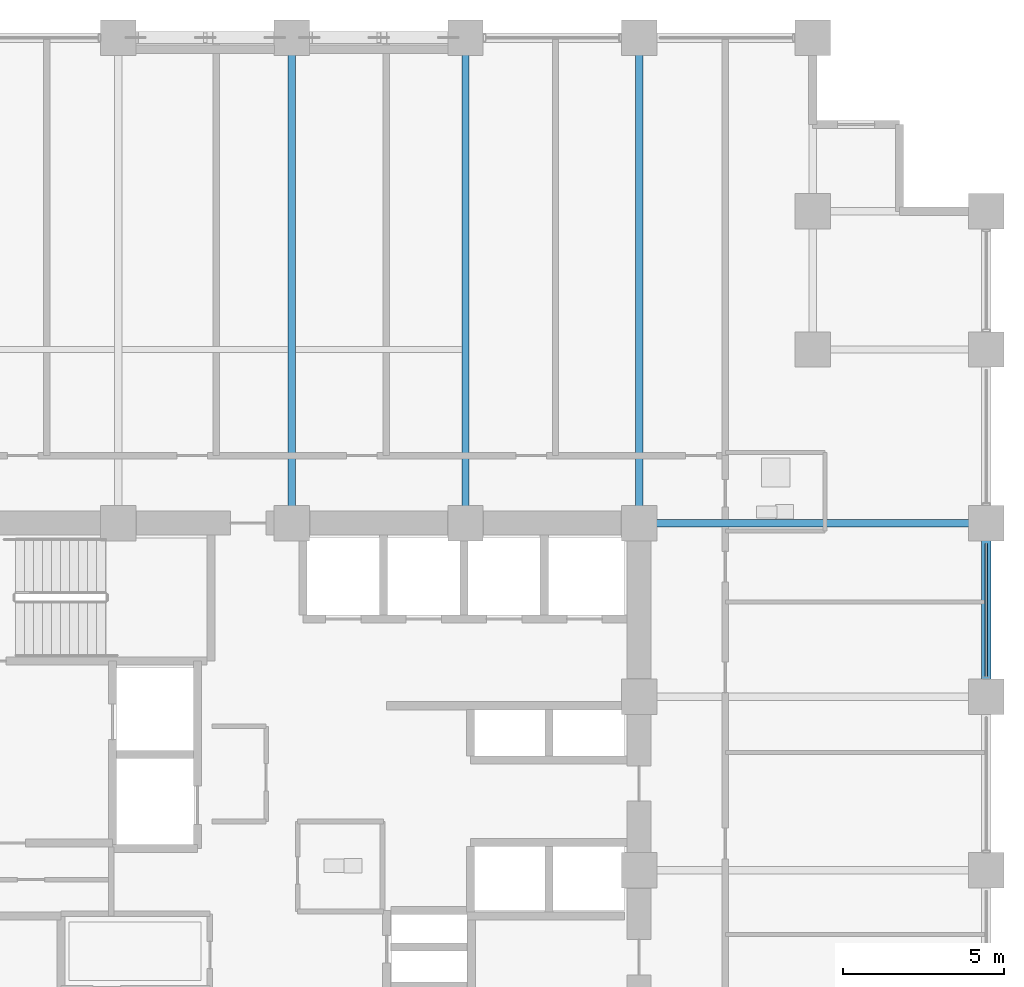
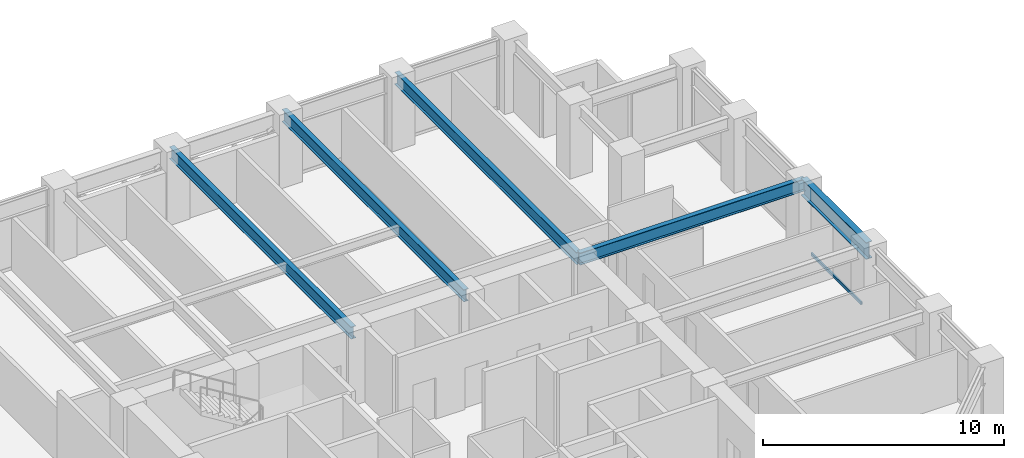
# One storey, part 14 of 25: 5 beams, 1 member, 1 element without a shape of its own.
"""IFC4 building model written with IfcOpenShell, lengths in metres."""

from ifc_helpers import new_model, si_unit, direction, frame, origin, origin_2d, place, context, subcontext, project, spatial, hollow_rectangle, i_section, extrude, material, layer, layer_set, material_profile, profile_set, type_object, element, aggregate, save


model = new_model("IFC4")

# Units and contexts
model_context = context("Model", 3, precision=1e-05, world=origin(), true_north=direction((0.0, 1.0)))
body_context = subcontext(model_context, "Body", "Model", "MODEL_VIEW")
ifc_project = project(units=[si_unit("LENGTHUNIT", "METRE"), si_unit("AREAUNIT", "SQUARE_METRE"), si_unit("VOLUMEUNIT", "CUBIC_METRE"), si_unit("PLANEANGLEUNIT", "RADIAN"), si_unit("MASSUNIT", "GRAM", prefix="KILO")], contexts=[model_context])

# Site, building, storey
site_placement = place(None, origin())
site = spatial("IfcSite", under=ifc_project, at=site_placement, CompositionType="ELEMENT")
building_placement = place(site_placement, origin())
building = spatial("IfcBuilding", under=site, at=building_placement, Name="Surkhivell Harbour Commons", CompositionType="ELEMENT")
storey_placement = place(building_placement, frame((0.0, 0.0, 117.0)))
storey = spatial("IfcBuildingStorey", under=building, at=storey_placement, Name="L30", CompositionType="ELEMENT", Elevation=117.0)

# Beams
ifc_material_1 = material(Name="Steel S355", Category="steel")
ifc_material_profile_1 = material_profile(ifc_material_1, i_section(OverallWidth=0.22998046875, OverallDepth=0.616943359375, WebThickness=0.01318359375, FlangeThickness=0.022216796875, at=origin_2d()), Name="UB610x229x140")
ifc_profile_set_1 = profile_set([ifc_material_profile_1], Name="Steel S355")
beam_type_1 = type_object("IfcBeamType", Name="BM-GRD-610B", PredefinedType="BEAM", material=ifc_profile_set_1)
for number, where, z_axis, x_axis, name in (
    (1, (0.0, 10.800048828125, 3.261474609375), (0.0, 1.0, 0.0), (-1.0, 0.0, 0.0), "L30 Floor Girder (0.0,10.8)"),
    (2, (5.39990234375, 10.800048828125, 3.261474609375), (0.0, 1.0, 0.0), (-1.0, 0.0, 0.0), "L30 Floor Girder (5.4,10.8)"),
    (3, (10.800048828125, 10.800048828125, 3.261474609375), (0.0, 1.0, 0.0), (-1.0, 0.0, 0.0), "L30 Floor Girder (10.8,10.8)"),
):
    element("IfcBeam", number, at=place(storey_placement, frame(where, z_axis=z_axis, x_axis=x_axis)), inside=storey, type_object=beam_type_1, Name=name, PredefinedType="BEAM", context=body_context, shape_type="SweptSolid", body=[
        extrude(i_section(OverallWidth=0.22998046875, OverallDepth=0.616943359375, WebThickness=0.01318359375, FlangeThickness=0.022216796875, at=origin_2d()), origin(), (0.0, 0.0, 1.0), 15.099853515625),
    ])
beam_1_placement = place(storey_placement, frame((10.800048828125, 10.800048828125, 3.261474609375), z_axis=(1.0, 0.0, 0.0), x_axis=(0.0, 1.0, 0.0)))
element("IfcBeam", 4, at=beam_1_placement, inside=storey, type_object=beam_type_1, Name="L30 Floor Girder (10.8,10.8)", PredefinedType="BEAM", context=body_context, shape_type="SweptSolid", body=[
    extrude(i_section(OverallWidth=0.22998046875, OverallDepth=0.616943359375, WebThickness=0.01318359375, FlangeThickness=0.022216796875, at=origin_2d()), origin(), (0.0, 0.0, 1.0), 10.800048828125),
])
ifc_material_2 = material(Name="Steel S460", Category="steel")
ifc_material_profile_2 = material_profile(ifc_material_2, i_section(OverallWidth=0.2939453125, OverallDepth=0.85107421875, WebThickness=0.01611328125, FlangeThickness=0.02685546875, at=origin_2d()), Name="UB838x292x226")
ifc_profile_set_2 = profile_set([ifc_material_profile_2], Name="Steel S460")
beam_type_2 = type_object("IfcBeamType", Name="BM-SPN-838", PredefinedType="SPANDREL", material=ifc_profile_set_2)
beam_2_placement = place(storey_placement, frame((21.60009765625, 5.39990234375, 3.14453125), z_axis=(0.0, 1.0, 0.0), x_axis=(-1.0, 0.0, 0.0)))
element("IfcBeam", 5, at=beam_2_placement, inside=storey, type_object=beam_type_2, Name="L30 Tube Spandrel (21.6,5.4)", PredefinedType="SPANDREL", context=body_context, shape_type="SweptSolid", body=[
    extrude(i_section(OverallWidth=0.2939453125, OverallDepth=0.85107421875, WebThickness=0.01611328125, FlangeThickness=0.02685546875, at=origin_2d()), origin(), (0.0, 0.0, 1.0), 5.400146484375),
])

# Curtain wall, member
ifc_material_3 = material(Name="Anodised pale-metal aluminium and insulated glazing", Category="aluminium")
ifc_layer = layer(ifc_material_3, 0.205078125)
ifc_layer_set = layer_set([ifc_layer], Name="Anodised pale-metal aluminium and insulated glazing")
curtain_wall_type = type_object("IfcCurtainWallType", Name="CW-SYS-Z2", PredefinedType="NOTDEFINED", material=ifc_layer_set)
curtain_wall_placement = place(storey_placement, origin())
curtain_wall = element("IfcCurtainWall", 6, at=curtain_wall_placement, inside=storey, type_object=curtain_wall_type, Name="L30 Curtain Wall CW-L30-E02", PredefinedType="NOTDEFINED")
ifc_material_4 = material(Name="Anodised pale-metal aluminium alloy 6063-T6", Category="aluminium")
ifc_material_profile_3 = material_profile(ifc_material_4, hollow_rectangle(XDim=0.074951171875, YDim=0.14990234375, WallThickness=0.00341796875, at=origin_2d()), Name="ALU-TRAN-75x150")
ifc_profile_set_3 = profile_set([ifc_material_profile_3], Name="Anodised pale-metal aluminium alloy 6063-T6")
member_type = type_object("IfcMemberType", Name="CWT-150", PredefinedType="USERDEFINED", material=ifc_profile_set_3)
member_placement = place(storey_placement, frame((21.60009765625, 6.027099609375, 0.074951171875), z_axis=(0.0, 1.0, 0.0), x_axis=(-1.0, 0.0, 0.0)))
member = element("IfcMember", 7, at=member_placement, type_object=member_type, Name="CW-Z2 transom 3.1", ObjectType="TRANSOM", PredefinedType="USERDEFINED", context=body_context, shape_type="SweptSolid", body=[
    extrude(hollow_rectangle(XDim=0.074951171875, YDim=0.14990234375, WallThickness=0.00341796875, at=origin_2d()), origin(), (0.0, 0.0, 1.0), 4.14599609375),
])
aggregate(curtain_wall, [member])

save(model, "model.ifc")
